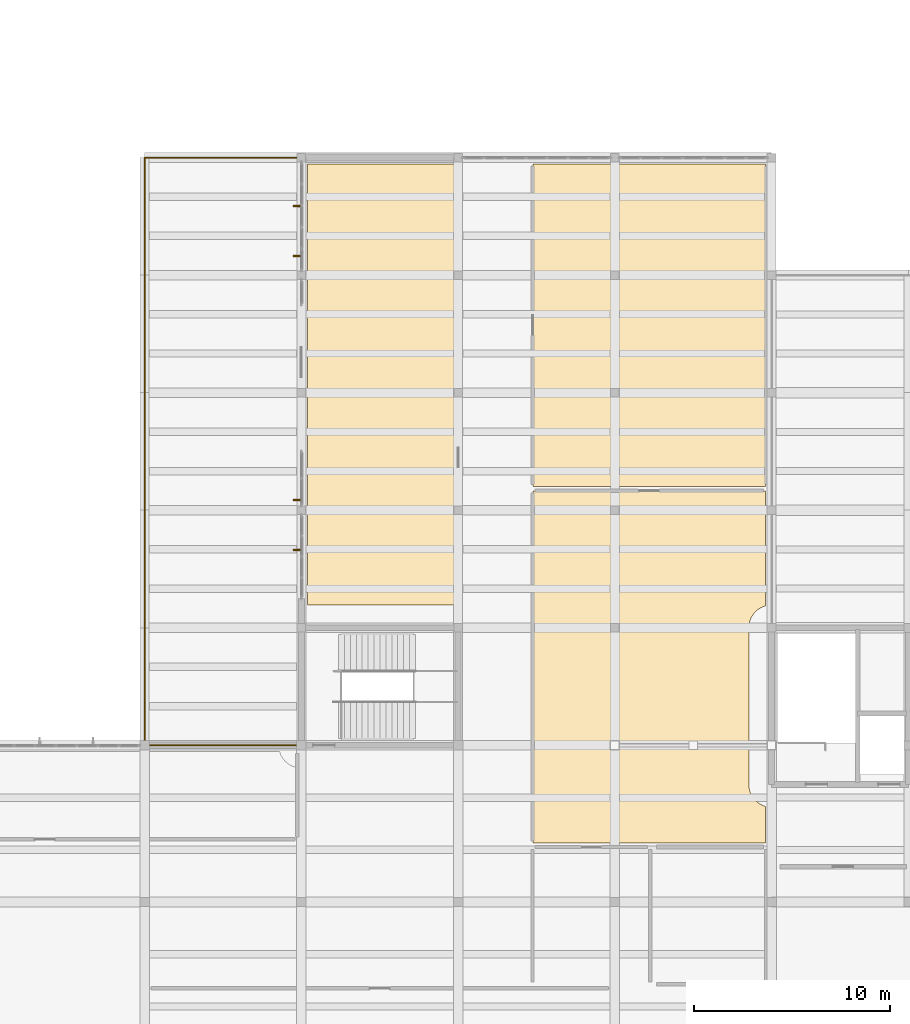
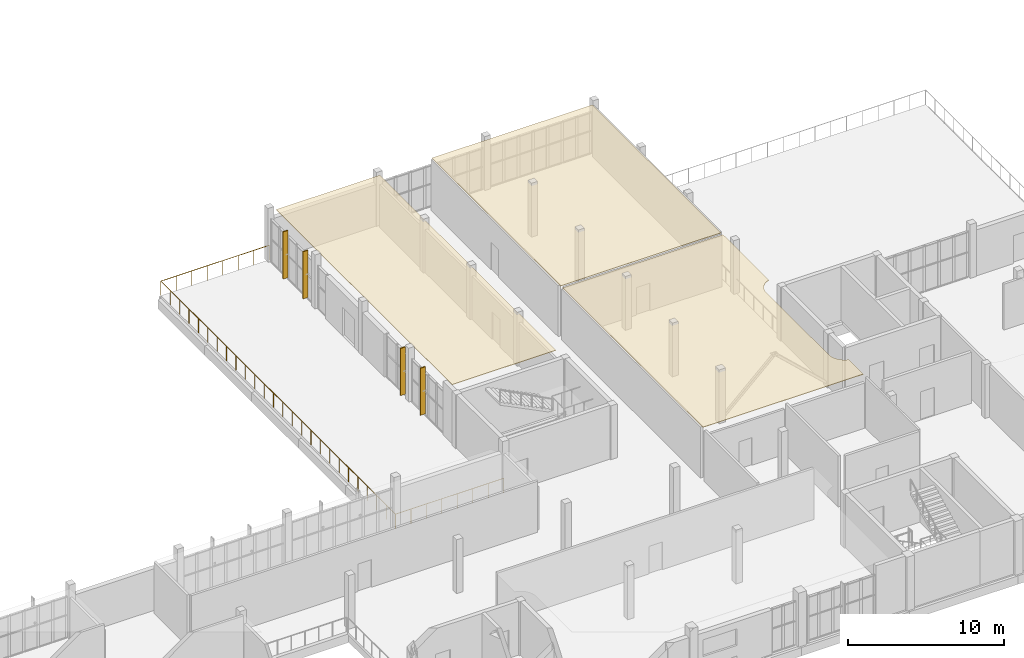
# One storey, part 66 of 70: 4 shading devices, 3 coverings, 1 railing.
"""IFC4 building model written with IfcOpenShell, lengths in metres."""

from ifc_helpers import new_model, si_unit, direction, frame, origin, origin_2d, place, context, subcontext, project, spatial, polyline, rectangle, circle, outline, extrude, material, layer, layer_set, type_object, element, save


model = new_model("IFC4")

# Units and contexts
model_context = context("Model", 3, precision=1e-05, world=origin(), true_north=direction((0.0, 1.0)))
body_context = subcontext(model_context, "Body", "Model", "MODEL_VIEW")
ifc_project = project(units=[si_unit("LENGTHUNIT", "METRE"), si_unit("AREAUNIT", "SQUARE_METRE"), si_unit("VOLUMEUNIT", "CUBIC_METRE"), si_unit("PLANEANGLEUNIT", "RADIAN"), si_unit("MASSUNIT", "GRAM", prefix="KILO")], contexts=[model_context])

# Site, building, storey
site_placement = place(None, origin())
site = spatial("IfcSite", under=ifc_project, at=site_placement, CompositionType="ELEMENT")
building_placement = place(site_placement, origin())
building = spatial("IfcBuilding", under=site, at=building_placement, Name="Solvane Community Centre", CompositionType="ELEMENT")
storey_placement = place(building_placement, frame((0.0, 0.0, 9.60009765625)))
storey = spatial("IfcBuildingStorey", under=building, at=storey_placement, Name="L02", CompositionType="ELEMENT", Elevation=9.60009765625)

# Coverings
ifc_material_1 = material(Name="Acoustic timber slat ceiling", Category="wood")
ifc_layer = layer(ifc_material_1, 0.0400390625)
ifc_layer_set = layer_set([ifc_layer], Name="Acoustic timber slat ceiling")
covering_type = type_object("IfcCoveringType", Name="Acoustic Timber Slat Suspended Ceiling", PredefinedType="CEILING", material=ifc_layer_set)
covering_1_placement = place(storey_placement, frame((0.0, 0.0, 3.954833984375)))
element("IfcCovering", 1, at=covering_1_placement, inside=storey, type_object=covering_type, Name="Acoustic Ceiling L02-10", PredefinedType="CEILING", context=body_context, shape_type="SweptSolid", body=[
    extrude(outline(polyline([(116.320068359375, 59.679931640625), (123.97998046875, 59.679931640625), (123.97998046875, 37.159912109375), (116.320068359375, 37.159912109375), (116.320068359375, 59.679931640625)])), origin(), (0.0, 0.0, 1.0), 0.0400390625),
])
covering_2_placement = place(storey_placement, frame((0.0, 0.0, 3.954833984375)))
element("IfcCovering", 2, at=covering_2_placement, inside=storey, type_object=covering_type, Name="Acoustic Ceiling L02-11", PredefinedType="CEILING", context=body_context, shape_type="SweptSolid", body=[
    extrude(outline(polyline([(139.679931640625, 25.02001953125), (127.820068359375, 25.02001953125), (127.820068359375, 42.97998046875), (139.679931640625, 42.97998046875), (139.679931640625, 37.114013671875), (139.61669921875, 37.0947265625), (139.601806640625, 37.08935546875), (139.51123046875, 37.0517578125), (139.4970703125, 37.045166015625), (139.410400390625, 36.998779296875), (139.39697265625, 36.99072265625), (139.3154296875, 36.936279296875), (139.302734375, 36.927001953125), (139.226806640625, 36.864501953125), (139.21533203125, 36.85400390625), (139.14599609375, 36.78466796875), (139.135498046875, 36.773193359375), (139.072998046875, 36.697265625), (139.063720703125, 36.6845703125), (139.00927734375, 36.60302734375), (139.001220703125, 36.589599609375), (138.954833984375, 36.5029296875), (138.9482421875, 36.48876953125), (138.91064453125, 36.398193359375), (138.9052734375, 36.38330078125), (138.876953125, 36.289306640625), (138.873046875, 36.274169921875), (138.85400390625, 36.177978515625), (138.8515625, 36.162353515625), (138.842041015625, 36.064697265625), (138.84130859375, 36.049072265625), (138.840087890625, 36.0), (138.840087890625, 28.0), (138.84130859375, 27.950927734375), (138.842041015625, 27.935302734375), (138.8515625, 27.837646484375), (138.85400390625, 27.822021484375), (138.873046875, 27.725830078125), (138.876953125, 27.710693359375), (138.9052734375, 27.61669921875), (138.91064453125, 27.601806640625), (138.9482421875, 27.51123046875), (138.954833984375, 27.4970703125), (139.001220703125, 27.410400390625), (139.00927734375, 27.39697265625), (139.063720703125, 27.3154296875), (139.072998046875, 27.302734375), (139.135498046875, 27.226806640625), (139.14599609375, 27.21533203125), (139.21533203125, 27.14599609375), (139.226806640625, 27.135498046875), (139.302734375, 27.072998046875), (139.3154296875, 27.063720703125), (139.39697265625, 27.00927734375), (139.410400390625, 27.001220703125), (139.4970703125, 26.954833984375), (139.51123046875, 26.9482421875), (139.601806640625, 26.91064453125), (139.61669921875, 26.9052734375), (139.679931640625, 26.885986328125), (139.679931640625, 25.02001953125)])), origin(), (0.0, 0.0, 1.0), 0.0400390625),
])
covering_3_placement = place(storey_placement, frame((0.0, 0.0, 3.954833984375)))
element("IfcCovering", 3, at=covering_3_placement, inside=storey, type_object=covering_type, Name="Acoustic Ceiling L02-12", PredefinedType="CEILING", context=body_context, shape_type="SweptSolid", body=[
    extrude(outline(polyline([(127.820068359375, 43.219970703125), (127.820068359375, 59.679931640625), (139.679931640625, 59.679931640625), (139.679931640625, 43.219970703125), (127.820068359375, 43.219970703125)])), origin(), (0.0, 0.0, 1.0), 0.0400390625),
])

# Shading devices
ifc_material_2 = material(Name="Anodised bronze aluminium AW-6063 T6", Category="aluminium")
shading_device_type = type_object("IfcShadingDeviceType", Name="Art Deco Bronze Solar Fin 80x360", PredefinedType="USERDEFINED", material=ifc_material_2)
shading_device_1_placement = place(storey_placement, frame((115.760009765625, 39.97509765625, 0.14990234375), z_axis=(0.0, 0.0, 1.0), x_axis=(0.0, 1.0, 0.0)))
element("IfcShadingDevice", 4, at=shading_device_1_placement, inside=storey, type_object=shading_device_type, Name="Solar Brise-Soleil Fin 87", ObjectType="Solar Brise-Soleil Fin 87", PredefinedType="USERDEFINED", context=body_context, shape_type="SweptSolid", body=[
    extrude(rectangle(XDim=0.080078125, YDim=0.360107421875, at=origin_2d()), origin(), (0.0, 0.0, 1.0), 3.679931640625),
])
shading_device_2_placement = place(storey_placement, frame((115.760009765625, 42.52490234375, 0.14990234375), z_axis=(0.0, 0.0, 1.0), x_axis=(0.0, 1.0, 0.0)))
element("IfcShadingDevice", 5, at=shading_device_2_placement, inside=storey, type_object=shading_device_type, Name="Solar Brise-Soleil Fin 88", ObjectType="Solar Brise-Soleil Fin 88", PredefinedType="USERDEFINED", context=body_context, shape_type="SweptSolid", body=[
    extrude(rectangle(XDim=0.080078125, YDim=0.360107421875, at=origin_2d()), origin(), (0.0, 0.0, 1.0), 3.679931640625),
])
shading_device_3_placement = place(storey_placement, frame((115.760009765625, 54.97509765625, 0.14990234375), z_axis=(0.0, 0.0, 1.0), x_axis=(0.0, 1.0, 0.0)))
element("IfcShadingDevice", 6, at=shading_device_3_placement, inside=storey, type_object=shading_device_type, Name="Solar Brise-Soleil Fin 89", ObjectType="Solar Brise-Soleil Fin 89", PredefinedType="USERDEFINED", context=body_context, shape_type="SweptSolid", body=[
    extrude(rectangle(XDim=0.080078125, YDim=0.360107421875, at=origin_2d()), origin(), (0.0, 0.0, 1.0), 3.679931640625),
])
shading_device_4_placement = place(storey_placement, frame((115.760009765625, 57.52490234375, 0.14990234375), z_axis=(0.0, 0.0, 1.0), x_axis=(0.0, 1.0, 0.0)))
element("IfcShadingDevice", 7, at=shading_device_4_placement, inside=storey, type_object=shading_device_type, Name="Solar Brise-Soleil Fin 90", ObjectType="Solar Brise-Soleil Fin 90", PredefinedType="USERDEFINED", context=body_context, shape_type="SweptSolid", body=[
    extrude(rectangle(XDim=0.080078125, YDim=0.360107421875, at=origin_2d()), origin(), (0.0, 0.0, 1.0), 3.679931640625),
])

# Railing
railing_type = type_object("IfcRailingType", Name="Terrace Art Deco Guard Balustrade 1150mm", PredefinedType="BALUSTRADE", material=ifc_material_2)
railing_placement = place(storey_placement, frame((116.0, 30.0, 0.0)))
element("IfcRailing", 8, at=railing_placement, inside=storey, type_object=railing_type, Name="Terrace Guard GRD-TER-002", PredefinedType="BALUSTRADE", context=body_context, shape_type="SweptSolid", body=[
    extrude(circle(Radius=0.02392578125, at=origin_2d()), frame((0.0, 0.0, 1.1259765625), z_axis=(-1.0, 0.0, 0.0), x_axis=(0.0, -1.0, 0.0)), (0.0, 0.0, 1.0), 8.0),
    extrude(circle(Radius=0.02392578125, at=origin_2d()), frame((-8.0, 0.0, 1.1259765625), z_axis=(0.0, 1.0, 0.0), x_axis=(-1.0, 0.0, 0.0)), (0.0, 0.0, 1.0), 30.0),
    extrude(circle(Radius=0.02392578125, at=origin_2d()), frame((-8.0, 30.0, 1.1259765625), z_axis=(1.0, 0.0, 0.0), x_axis=(0.0, 1.0, 0.0)), (0.0, 0.0, 1.0), 8.0),
    extrude(circle(Radius=0.02099609375, at=origin_2d()), origin(), (0.0, 0.0, 1.0), 1.101806640625),
    extrude(circle(Radius=0.02099609375, at=origin_2d()), frame((-1.142822265625, 0.0, 0.0)), (0.0, 0.0, 1.0), 1.101806640625),
    extrude(circle(Radius=0.02099609375, at=origin_2d()), frame((-2.28564453125, 0.0, 0.0)), (0.0, 0.0, 1.0), 1.101806640625),
    extrude(circle(Radius=0.02099609375, at=origin_2d()), frame((-3.428466796875, 0.0, 0.0)), (0.0, 0.0, 1.0), 1.101806640625),
    extrude(circle(Radius=0.02099609375, at=origin_2d()), frame((-4.571533203125, 0.0, 0.0)), (0.0, 0.0, 1.0), 1.101806640625),
    extrude(circle(Radius=0.02099609375, at=origin_2d()), frame((-5.71435546875, 0.0, 0.0)), (0.0, 0.0, 1.0), 1.101806640625),
    extrude(circle(Radius=0.02099609375, at=origin_2d()), frame((-6.857177734375, 0.0, 0.0)), (0.0, 0.0, 1.0), 1.101806640625),
    extrude(circle(Radius=0.02099609375, at=origin_2d()), frame((-8.0, 0.0, 0.0)), (0.0, 0.0, 1.0), 1.101806640625),
    extrude(circle(Radius=0.02099609375, at=origin_2d()), frame((-8.0, 1.199951171875, 0.0)), (0.0, 0.0, 1.0), 1.101806640625),
    extrude(circle(Radius=0.02099609375, at=origin_2d()), frame((-8.0, 2.39990234375, 0.0)), (0.0, 0.0, 1.0), 1.101806640625),
    extrude(circle(Radius=0.02099609375, at=origin_2d()), frame((-8.0, 3.60009765625, 0.0)), (0.0, 0.0, 1.0), 1.101806640625),
    extrude(circle(Radius=0.02099609375, at=origin_2d()), frame((-8.0, 4.800048828125, 0.0)), (0.0, 0.0, 1.0), 1.101806640625),
    extrude(circle(Radius=0.02099609375, at=origin_2d()), frame((-8.0, 6.0, 0.0)), (0.0, 0.0, 1.0), 1.101806640625),
    extrude(circle(Radius=0.02099609375, at=origin_2d()), frame((-8.0, 7.199951171875, 0.0)), (0.0, 0.0, 1.0), 1.101806640625),
    extrude(circle(Radius=0.02099609375, at=origin_2d()), frame((-8.0, 8.39990234375, 0.0)), (0.0, 0.0, 1.0), 1.101806640625),
    extrude(circle(Radius=0.02099609375, at=origin_2d()), frame((-8.0, 9.60009765625, 0.0)), (0.0, 0.0, 1.0), 1.101806640625),
    extrude(circle(Radius=0.02099609375, at=origin_2d()), frame((-8.0, 10.800048828125, 0.0)), (0.0, 0.0, 1.0), 1.101806640625),
    extrude(circle(Radius=0.02099609375, at=origin_2d()), frame((-8.0, 12.0, 0.0)), (0.0, 0.0, 1.0), 1.101806640625),
    extrude(circle(Radius=0.02099609375, at=origin_2d()), frame((-8.0, 13.199951171875, 0.0)), (0.0, 0.0, 1.0), 1.101806640625),
    extrude(circle(Radius=0.02099609375, at=origin_2d()), frame((-8.0, 14.39990234375, 0.0)), (0.0, 0.0, 1.0), 1.101806640625),
    extrude(circle(Radius=0.02099609375, at=origin_2d()), frame((-8.0, 15.60009765625, 0.0)), (0.0, 0.0, 1.0), 1.101806640625),
    extrude(circle(Radius=0.02099609375, at=origin_2d()), frame((-8.0, 16.800048828125, 0.0)), (0.0, 0.0, 1.0), 1.101806640625),
    extrude(circle(Radius=0.02099609375, at=origin_2d()), frame((-8.0, 18.0, 0.0)), (0.0, 0.0, 1.0), 1.101806640625),
    extrude(circle(Radius=0.02099609375, at=origin_2d()), frame((-8.0, 19.199951171875, 0.0)), (0.0, 0.0, 1.0), 1.101806640625),
    extrude(circle(Radius=0.02099609375, at=origin_2d()), frame((-8.0, 20.39990234375, 0.0)), (0.0, 0.0, 1.0), 1.101806640625),
    extrude(circle(Radius=0.02099609375, at=origin_2d()), frame((-8.0, 21.60009765625, 0.0)), (0.0, 0.0, 1.0), 1.101806640625),
    extrude(circle(Radius=0.02099609375, at=origin_2d()), frame((-8.0, 22.800048828125, 0.0)), (0.0, 0.0, 1.0), 1.101806640625),
    extrude(circle(Radius=0.02099609375, at=origin_2d()), frame((-8.0, 24.0, 0.0)), (0.0, 0.0, 1.0), 1.101806640625),
    extrude(circle(Radius=0.02099609375, at=origin_2d()), frame((-8.0, 25.199951171875, 0.0)), (0.0, 0.0, 1.0), 1.101806640625),
    extrude(circle(Radius=0.02099609375, at=origin_2d()), frame((-8.0, 26.39990234375, 0.0)), (0.0, 0.0, 1.0), 1.101806640625),
    extrude(circle(Radius=0.02099609375, at=origin_2d()), frame((-8.0, 27.60009765625, 0.0)), (0.0, 0.0, 1.0), 1.101806640625),
    extrude(circle(Radius=0.02099609375, at=origin_2d()), frame((-8.0, 28.800048828125, 0.0)), (0.0, 0.0, 1.0), 1.101806640625),
    extrude(circle(Radius=0.02099609375, at=origin_2d()), frame((-8.0, 30.0, 0.0)), (0.0, 0.0, 1.0), 1.101806640625),
    extrude(circle(Radius=0.02099609375, at=origin_2d()), frame((-6.857177734375, 30.0, 0.0)), (0.0, 0.0, 1.0), 1.101806640625),
    extrude(circle(Radius=0.02099609375, at=origin_2d()), frame((-5.71435546875, 30.0, 0.0)), (0.0, 0.0, 1.0), 1.101806640625),
    extrude(circle(Radius=0.02099609375, at=origin_2d()), frame((-4.571533203125, 30.0, 0.0)), (0.0, 0.0, 1.0), 1.101806640625),
    extrude(circle(Radius=0.02099609375, at=origin_2d()), frame((-3.428466796875, 30.0, 0.0)), (0.0, 0.0, 1.0), 1.101806640625),
    extrude(circle(Radius=0.02099609375, at=origin_2d()), frame((-2.28564453125, 30.0, 0.0)), (0.0, 0.0, 1.0), 1.101806640625),
    extrude(circle(Radius=0.02099609375, at=origin_2d()), frame((-1.142822265625, 30.0, 0.0)), (0.0, 0.0, 1.0), 1.101806640625),
    extrude(circle(Radius=0.02099609375, at=origin_2d()), frame((0.0, 30.0, 0.0)), (0.0, 0.0, 1.0), 1.101806640625),
])

save(model, "model.ifc")
